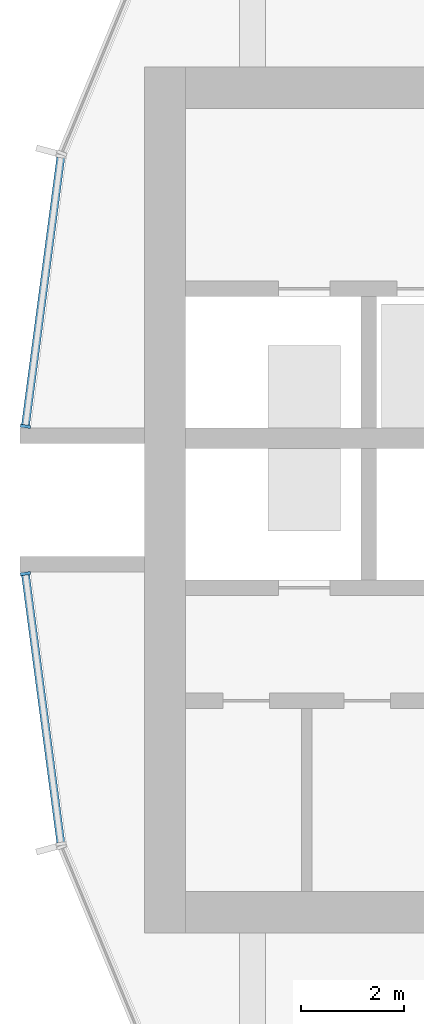
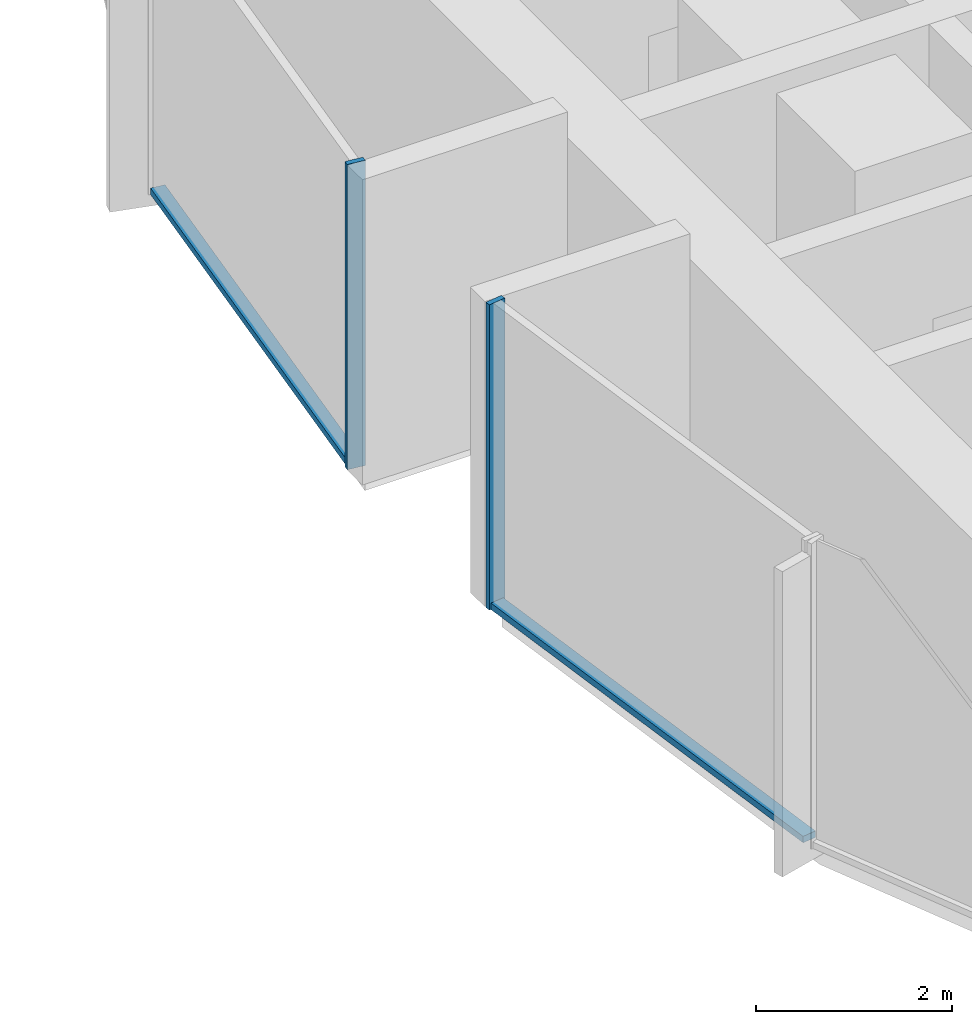
# One storey, part 3 of 15: 4 members, 2 elements without a shape of their own.
"""IFC4 building model written with IfcOpenShell, lengths in metres."""

from ifc_helpers import new_model, si_unit, direction, frame, origin, origin_2d, place, context, subcontext, project, spatial, rectangle, extrude, material, layer, layer_set, material_profile, profile_set, type_object, element, aggregate, save


model = new_model("IFC4")

# Units and contexts
model_context = context("Model", 3, precision=1e-05, world=origin(), true_north=direction((0.0, 1.0)))
body_context = subcontext(model_context, "Body", "Model", "MODEL_VIEW")
ifc_project = project(units=[si_unit("LENGTHUNIT", "METRE"), si_unit("AREAUNIT", "SQUARE_METRE"), si_unit("VOLUMEUNIT", "CUBIC_METRE"), si_unit("PLANEANGLEUNIT", "RADIAN"), si_unit("MASSUNIT", "GRAM", prefix="KILO")], contexts=[model_context])

# Site, building, storey
site_placement = place(None, origin())
site = spatial("IfcSite", under=ifc_project, at=site_placement, CompositionType="ELEMENT")
building_placement = place(site_placement, origin())
building = spatial("IfcBuilding", under=site, at=building_placement, Name="Torre Brocal", CompositionType="ELEMENT")
storey_placement = place(building_placement, frame((0.0, 0.0, 44.0)))
storey = spatial("IfcBuildingStorey", under=building, at=storey_placement, Name="L09", CompositionType="ELEMENT", Elevation=44.0)

# Curtain wall, member
ifc_material_1 = material(Name="Aluminium and glass", Category="aluminium")
ifc_layer = layer(ifc_material_1, 0.199951171875)
ifc_layer_set = layer_set([ifc_layer], Name="Aluminium and glass")
curtain_wall_type = type_object("IfcCurtainWallType", Name="CW-1B CURTAIN WALL 3800 HIGH", PredefinedType="NOTDEFINED", material=ifc_layer_set)
curtain_wall_1_placement = place(storey_placement, origin())
curtain_wall_1 = element("IfcCurtainWall", 1, at=curtain_wall_1_placement, inside=storey, type_object=curtain_wall_type, Name="CW-1B RUN 12", PredefinedType="NOTDEFINED")
ifc_material_2 = material(Name="Aluminium, dark anodised", Category="aluminium")
ifc_material_profile_1 = material_profile(ifc_material_2, rectangle(XDim=0.199951171875, YDim=0.06005859375, at=origin_2d()), Name="CW-1B MULLION 60X200")
ifc_profile_set_1 = profile_set([ifc_material_profile_1], Name="Aluminium, dark anodised")
member_type_1 = type_object("IfcMemberType", Name="CW-1B MULLION 60X200", PredefinedType="MULLION", material=ifc_profile_set_1)
member_1_placement = place(storey_placement, frame((54.2890625, 76.4296875, 0.0), z_axis=(0.0, 0.0, 1.0), x_axis=(0.991444861374, -0.13052619222, 0.0)))
member_1 = element("IfcMember", 2, at=member_1_placement, type_object=member_type_1, Name="CW1B-1 mullion 2", PredefinedType="MULLION", context=body_context, shape_type="SweptSolid", body=[
    extrude(rectangle(XDim=0.199951171875, YDim=0.06005859375, at=origin_2d()), origin(), (0.0, 0.0, 1.0), 3.800048828125),
])

curtain_wall_2_placement = place(storey_placement, origin())
curtain_wall_2 = element("IfcCurtainWall", 3, at=curtain_wall_2_placement, inside=storey, type_object=curtain_wall_type, Name="CW-1B RUN 13", PredefinedType="NOTDEFINED")
member_2_placement = place(storey_placement, frame((54.2890625, 73.5703125, 0.0), z_axis=(0.0, 0.0, 1.0), x_axis=(0.991444861374, 0.13052619222, 0.0)))
member_2 = element("IfcMember", 4, at=member_2_placement, type_object=member_type_1, Name="CW1B-1 mullion 1", PredefinedType="MULLION", context=body_context, shape_type="SweptSolid", body=[
    extrude(rectangle(XDim=0.199951171875, YDim=0.06005859375, at=origin_2d()), origin(), (0.0, 0.0, 1.0), 3.800048828125),
])

# Member
ifc_material_3 = material(Name="Aluminium, dark anodised", Category="aluminium")
ifc_material_profile_2 = material_profile(ifc_material_3, rectangle(XDim=0.159912109375, YDim=0.080078125, at=origin_2d()), Name="CW-1B TRANSOM 160X80")
ifc_profile_set_2 = profile_set([ifc_material_profile_2], Name="Aluminium, dark anodised")
member_type_2 = type_object("IfcMemberType", Name="CW-1B TRANSOM 160X80", PredefinedType="USERDEFINED", material=ifc_profile_set_2)
member_3_placement = place(storey_placement, frame((54.9755859375, 81.643798828125, 0.0400390625), z_axis=(-0.130542677827, -0.991442690863, 0.0), x_axis=(0.991442690863, -0.130542677827, 0.0)))
member_3 = element("IfcMember", 5, at=member_3_placement, type_object=member_type_2, Name="CW1B-1 transom 1.1", ObjectType="TRANSOM", PredefinedType="USERDEFINED", context=body_context, shape_type="SweptSolid", body=[
    extrude(rectangle(XDim=0.159912109375, YDim=0.080078125, at=origin_2d()), origin(), (0.0, 0.0, 1.0), 5.22900390625),
])

aggregate(curtain_wall_1, [member_1, member_3])

member_4_placement = place(storey_placement, frame((54.29296875, 73.54052734375, 0.0400390625), z_axis=(0.130542677827, -0.991442690863, 0.0), x_axis=(0.991442690863, 0.130542677827, 0.0)))
member_4 = element("IfcMember", 6, at=member_4_placement, type_object=member_type_2, Name="CW1B-1 transom 1.1", ObjectType="TRANSOM", PredefinedType="USERDEFINED", context=body_context, shape_type="SweptSolid", body=[
    extrude(rectangle(XDim=0.159912109375, YDim=0.080078125, at=origin_2d()), origin(), (0.0, 0.0, 1.0), 5.22900390625),
])

aggregate(curtain_wall_2, [member_2, member_4])

save(model, "model.ifc")
